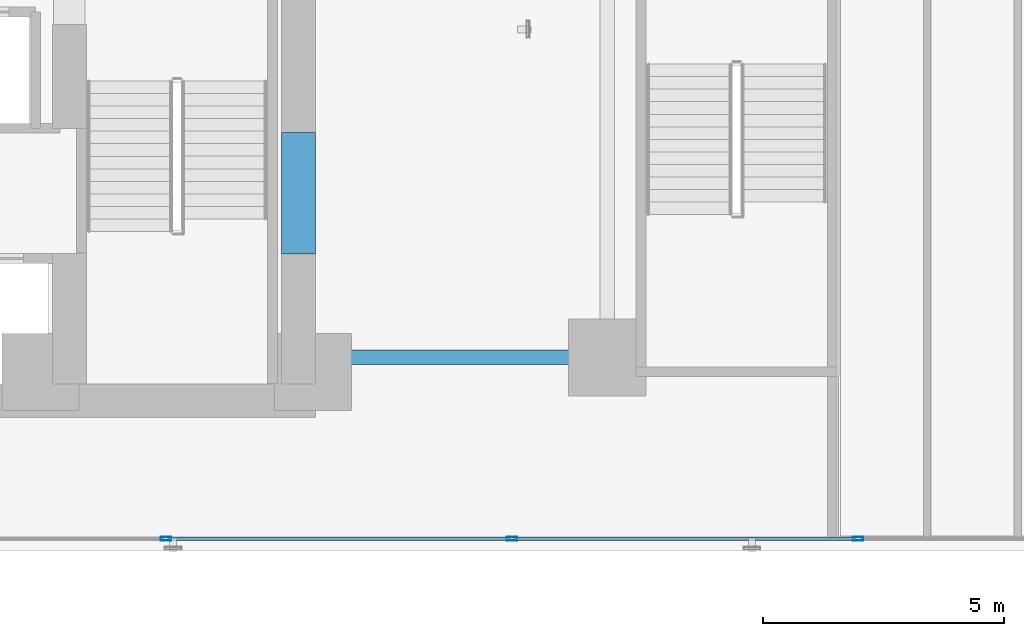
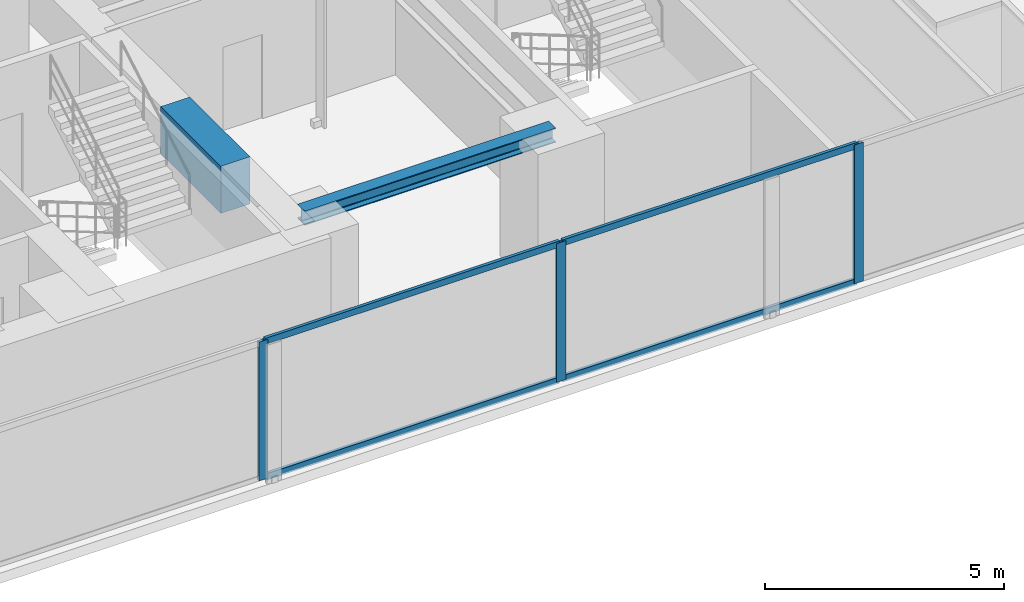
# One storey, part 4 of 28: 7 members, 2 beams, 1 element without a shape of its own.
"""IFC4 building model written with IfcOpenShell, lengths in metres."""

from ifc_helpers import new_model, si_unit, direction, frame, origin, origin_with_axes, origin_2d, place, context, subcontext, project, spatial, rectangle, hollow_rectangle, i_section, extrude, source, transform, mapped, material, layer, layer_set, material_profile, profile_set, type_object, element, aggregate, save


model = new_model("IFC4")

# Units and contexts
model_context = context("Model", 3, precision=1e-05, world=origin(), true_north=direction((0.0, 1.0)))
body_context = subcontext(model_context, "Body", "Model", "MODEL_VIEW")
ifc_project = project(units=[si_unit("LENGTHUNIT", "METRE"), si_unit("AREAUNIT", "SQUARE_METRE"), si_unit("VOLUMEUNIT", "CUBIC_METRE"), si_unit("PLANEANGLEUNIT", "RADIAN"), si_unit("MASSUNIT", "GRAM", prefix="KILO")], contexts=[model_context])

# Site, building, storey
site_placement = place(None, origin())
site = spatial("IfcSite", under=ifc_project, at=site_placement, CompositionType="ELEMENT")
building_placement = place(site_placement, origin())
building = spatial("IfcBuilding", under=site, at=building_placement, Name="Kolvaren Waterfront Exchange", CompositionType="ELEMENT")
storey_placement = place(building_placement, frame((0.0, 0.0, 56.199951171875)))
storey = spatial("IfcBuildingStorey", under=building, at=storey_placement, Name="L14", CompositionType="ELEMENT", Elevation=56.199951171875)

# Beams
ifc_material_1 = material(Name="Steel S355", Category="steel")
ifc_material_profile_1 = material_profile(ifc_material_1, i_section(OverallWidth=0.300048828125, OverallDepth=0.360107421875, WebThickness=0.012451171875, FlangeThickness=0.0224609375, FilletRadius=0.027099609375, at=origin_2d()), Name="HEB360")
ifc_profile_set_1 = profile_set([ifc_material_profile_1], Name="Steel S355")
beam_type_1 = type_object("IfcBeamType", Name="STR-BM-HEB360", PredefinedType="SPANDREL", material=ifc_profile_set_1)
beam_1_placement = place(storey_placement, frame((21.14990234375, 5.199951171875, 3.360107421875), z_axis=(1.0, 0.0, 0.0), x_axis=(0.0, 1.0, 0.0)))
element("IfcBeam", 1, at=beam_1_placement, inside=storey, type_object=beam_type_1, Name="L14 east-arm spandrel S1", PredefinedType="SPANDREL", context=body_context, shape_type="SweptSolid", body=[
    extrude(i_section(OverallWidth=0.300048828125, OverallDepth=0.360107421875, WebThickness=0.012451171875, FlangeThickness=0.0224609375, FilletRadius=0.027099609375, at=origin_2d()), origin(), (0.0, 0.0, 1.0), 6.050048828125),
])
ifc_material_2 = material(Name="Concrete C70/85", Category="concrete")
ifc_material_profile_2 = material_profile(ifc_material_2, rectangle(XDim=0.699951171875, YDim=1.199951171875, at=origin_2d()), Name="RC-CB-1200x700")
ifc_profile_set_2 = profile_set([ifc_material_profile_2], Name="Concrete C70/85")
beam_type_2 = type_object("IfcBeamType", Name="STR-CB-1200", PredefinedType="SPANDREL", material=ifc_profile_set_2)
beam_2_placement = place(storey_placement, frame((20.800048828125, 7.340087890625, 2.93994140625), z_axis=(0.0, 1.0, 0.0), x_axis=(-1.0, 0.0, 0.0)))
element("IfcBeam", 2, at=beam_2_placement, inside=storey, type_object=beam_type_2, Name="L14 core coupling beam 1", PredefinedType="SPANDREL", context=body_context, shape_type="SweptSolid", body=[
    extrude(rectangle(XDim=0.699951171875, YDim=1.199951171875, at=origin_2d()), origin(), (0.0, 0.0, 1.0), 2.52001953125),
])

# Curtain wall, members
ifc_material_3 = material(Name="Anodised bronze aluminium 6063-T6", Category="aluminium")
ifc_layer = layer(ifc_material_3, 0.219970703125, Name="Anodised bronze aluminium 6063-T6")
ifc_layer_set = layer_set([ifc_layer], Name="Anodised bronze aluminium 6063-T6")
curtain_wall_type = type_object("IfcCurtainWallType", Name="ARC-CW-SYS1", PredefinedType="USERDEFINED", material=ifc_layer_set)
curtain_wall_placement = place(storey_placement, origin())
curtain_wall = element("IfcCurtainWall", 3, at=curtain_wall_placement, inside=storey, type_object=curtain_wall_type, Name="L14 stick curtain wall CW1 (CW-L14-S)", ObjectType="STICK CURTAIN WALL", PredefinedType="USERDEFINED")
ifc_material_4 = material(Name="Anodised aluminium 6063-T6", Category="aluminium")
ifc_material_profile_3 = material_profile(ifc_material_4, hollow_rectangle(XDim=0.074951171875, YDim=0.159912109375, WallThickness=0.00439453125, at=origin_2d()), Name="ALU-TRN-160x75x4.5")
ifc_profile_set_3 = profile_set([ifc_material_profile_3], Name="Anodised aluminium 6063-T6")
member_type_1 = type_object("IfcMemberType", Name="ARC-CWT-160", PredefinedType="USERDEFINED", material=ifc_profile_set_3)
shared_shape_1 = source(origin_with_axes(), body_context, "Body", "SweptSolid", [
    extrude(hollow_rectangle(XDim=0.074951171875, YDim=0.159912109375, WallThickness=0.00439453125, at=origin_2d()), origin(), (0.0, 0.0, 1.0), 7.094970703125),
])
member_1_placement = place(storey_placement, frame((18.090087890625, 1.43994140625, 0.03759765625), z_axis=(1.0, 0.0, 0.0), x_axis=(0.0, 1.0, 0.0)))
member_1 = element("IfcMember", 4, at=member_1_placement, type_object=member_type_1, Name="CW1 transom 3.1", ObjectType="TRANSOM", PredefinedType="USERDEFINED", context=body_context, shape_type="MappedRepresentation", body=[
    mapped(shared_shape_1, transform((0.0, 0.0, 0.0), x_axis=(1.0, 0.0, 0.0), y_axis=(0.0, 1.0, 0.0), z_axis=(0.0, 0.0, 1.0), scale=1.0)),
])
member_2_placement = place(storey_placement, frame((18.090087890625, 1.43994140625, 3.50244140625), z_axis=(1.0, 0.0, 0.0), x_axis=(0.0, 1.0, 0.0)))
member_2 = element("IfcMember", 5, at=member_2_placement, type_object=member_type_1, Name="CW1 transom 3.2", ObjectType="TRANSOM", PredefinedType="USERDEFINED", context=body_context, shape_type="MappedRepresentation", body=[
    mapped(shared_shape_1, transform((0.0, 0.0, 0.0), x_axis=(1.0, 0.0, 0.0), y_axis=(0.0, 1.0, 0.0), z_axis=(0.0, 0.0, 1.0), scale=1.0)),
])
shared_shape_2 = source(origin_with_axes(), body_context, "Body", "SweptSolid", [
    extrude(hollow_rectangle(XDim=0.074951171875, YDim=0.159912109375, WallThickness=0.00439453125, at=origin_2d()), origin(), (0.0, 0.0, 1.0), 7.09521484375),
])
member_3_placement = place(storey_placement, frame((25.264892578125, 1.43994140625, 0.03759765625), z_axis=(1.0, 0.0, 0.0), x_axis=(0.0, 1.0, 0.0)))
member_3 = element("IfcMember", 6, at=member_3_placement, type_object=member_type_1, Name="CW1 transom 4.1", ObjectType="TRANSOM", PredefinedType="USERDEFINED", context=body_context, shape_type="MappedRepresentation", body=[
    mapped(shared_shape_2, transform((0.0, 0.0, 0.0), x_axis=(1.0, 0.0, 0.0), y_axis=(0.0, 1.0, 0.0), z_axis=(0.0, 0.0, 1.0), scale=1.0)),
])
member_4_placement = place(storey_placement, frame((25.264892578125, 1.43994140625, 3.50244140625), z_axis=(1.0, 0.0, 0.0), x_axis=(0.0, 1.0, 0.0)))
member_4 = element("IfcMember", 7, at=member_4_placement, type_object=member_type_1, Name="CW1 transom 4.2", ObjectType="TRANSOM", PredefinedType="USERDEFINED", context=body_context, shape_type="MappedRepresentation", body=[
    mapped(shared_shape_2, transform((0.0, 0.0, 0.0), x_axis=(1.0, 0.0, 0.0), y_axis=(0.0, 1.0, 0.0), z_axis=(0.0, 0.0, 1.0), scale=1.0)),
])
ifc_material_profile_4 = material_profile(ifc_material_4, hollow_rectangle(XDim=0.080078125, YDim=0.219970703125, WallThickness=0.0048828125, at=origin_2d()), Name="ALU-MUL-220x80x5")
ifc_profile_set_4 = profile_set([ifc_material_profile_4], Name="Anodised aluminium 6063-T6")
member_type_2 = type_object("IfcMemberType", Name="ARC-CWM-220", PredefinedType="MULLION", material=ifc_profile_set_4)
shared_shape_3 = source(origin_with_axes(), body_context, "Body", "SweptSolid", [
    extrude(hollow_rectangle(XDim=0.080078125, YDim=0.219970703125, WallThickness=0.0048828125, at=origin_2d()), origin(), (0.0, 0.0, 1.0), 3.5400390625),
])
member_5_placement = place(storey_placement, frame((18.050048828125, 1.43994140625, 0.0), z_axis=(0.0, 0.0, 1.0), x_axis=(0.0, 1.0, 0.0)))
member_5 = element("IfcMember", 8, at=member_5_placement, type_object=member_type_2, Name="CW1 mullion 3", PredefinedType="MULLION", context=body_context, shape_type="MappedRepresentation", body=[
    mapped(shared_shape_3, transform((0.0, 0.0, 0.0), x_axis=(1.0, 0.0, 0.0), y_axis=(0.0, 1.0, 0.0), z_axis=(0.0, 0.0, 1.0), scale=1.0)),
])
member_6_placement = place(storey_placement, frame((25.22509765625, 1.43994140625, 0.0), z_axis=(0.0, 0.0, 1.0), x_axis=(0.0, 1.0, 0.0)))
member_6 = element("IfcMember", 9, at=member_6_placement, type_object=member_type_2, Name="CW1 mullion 4", PredefinedType="MULLION", context=body_context, shape_type="MappedRepresentation", body=[
    mapped(shared_shape_3, transform((0.0, 0.0, 0.0), x_axis=(1.0, 0.0, 0.0), y_axis=(0.0, 1.0, 0.0), z_axis=(0.0, 0.0, 1.0), scale=1.0)),
])
member_7_placement = place(storey_placement, frame((32.39990234375, 1.43994140625, 0.0), z_axis=(0.0, 0.0, 1.0), x_axis=(0.0, 1.0, 0.0)))
member_7 = element("IfcMember", 10, at=member_7_placement, type_object=member_type_2, Name="CW1 mullion 5", PredefinedType="MULLION", context=body_context, shape_type="MappedRepresentation", body=[
    mapped(shared_shape_3, transform((0.0, 0.0, 0.0), x_axis=(1.0, 0.0, 0.0), y_axis=(0.0, 1.0, 0.0), z_axis=(0.0, 0.0, 1.0), scale=1.0)),
])
aggregate(curtain_wall, [member_5, member_6, member_7, member_1, member_2, member_3, member_4])

save(model, "model.ifc")
